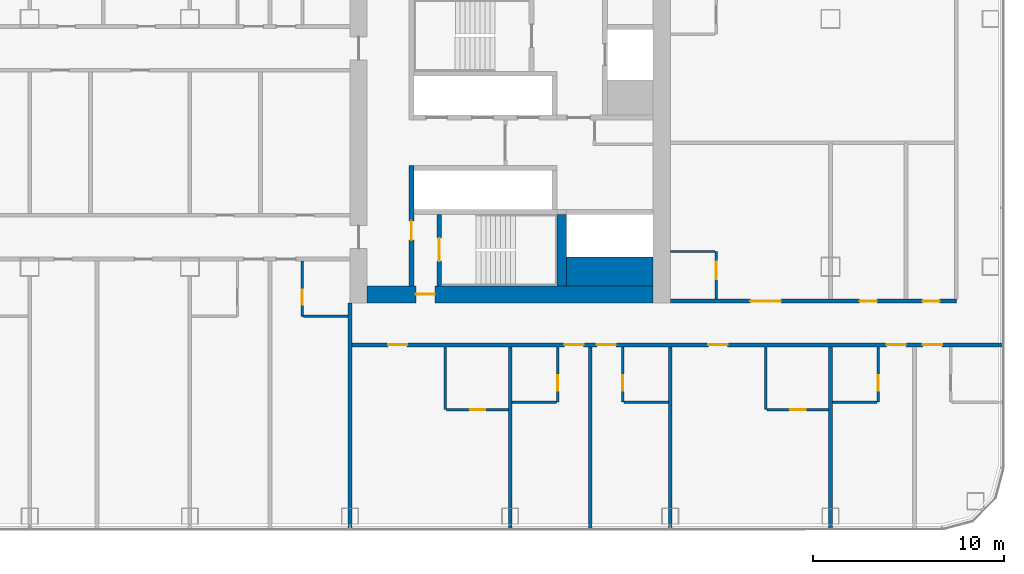
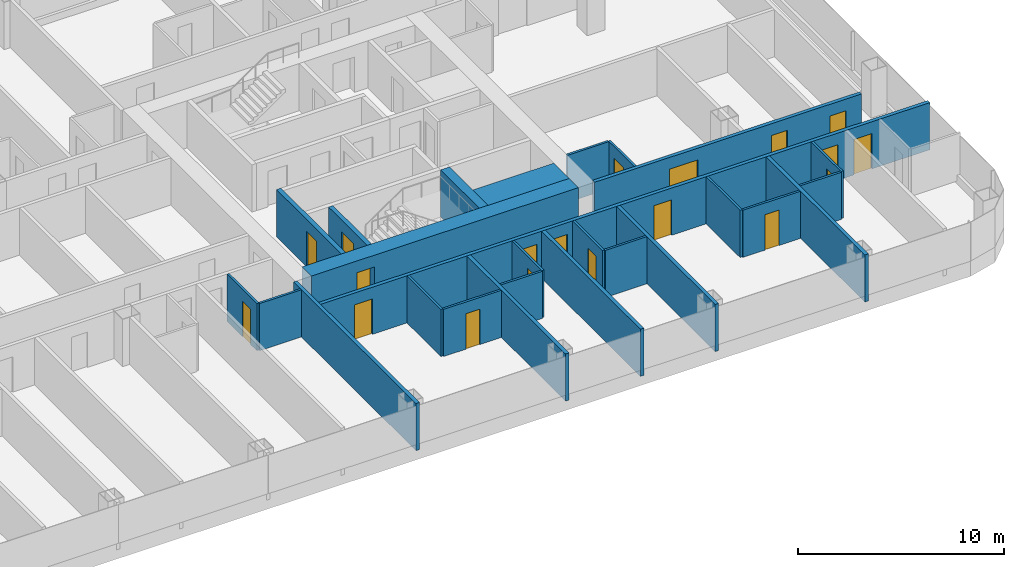
# One storey, part 17 of 28: 26 walls, 19 doors, 19 openings.
"""IFC4 building model written with IfcOpenShell, lengths in metres."""

from ifc_helpers import new_model, si_unit, direction, frame, frame_2d, origin, place, context, subcontext, project, spatial, rectangle, extrude, material, layer, layer_set, type_object, element, fill, save


model = new_model("IFC4")

# Units and contexts
model_context = context("Model", 3, precision=1e-05, world=origin(), true_north=direction((0.0, 1.0)))
body_context = subcontext(model_context, "Body", "Model", "MODEL_VIEW")
ifc_project = project(units=[si_unit("LENGTHUNIT", "METRE"), si_unit("AREAUNIT", "SQUARE_METRE"), si_unit("VOLUMEUNIT", "CUBIC_METRE"), si_unit("PLANEANGLEUNIT", "RADIAN"), si_unit("MASSUNIT", "GRAM", prefix="KILO")], contexts=[model_context])

# Site, building, storey
site_placement = place(None, origin())
site = spatial("IfcSite", under=ifc_project, at=site_placement, CompositionType="ELEMENT")
building_placement = place(site_placement, origin())
building = spatial("IfcBuilding", under=site, at=building_placement, Name="Hakoniwa Tower and Hamabe Station Hall", CompositionType="ELEMENT")
storey_placement = place(building_placement, frame((0.0, 0.0, 42.199951171875)))
storey = spatial("IfcBuildingStorey", under=building, at=storey_placement, Name="L11", CompositionType="ELEMENT", Elevation=42.199951171875)

# Wall, opening, door
ifc_material_1 = material(Name="Gypsum board partition", Category="gypsum")
ifc_layer_1 = layer(ifc_material_1, 0.125)
ifc_layer_set_1 = layer_set([ifc_layer_1], Name="Bathroom Partition 125")
wall_type_1 = type_object("IfcWallType", Name="Bathroom Partition 125", PredefinedType="PARTITIONING", material=ifc_layer_set_1)
wall_1_placement = place(storey_placement, frame((21.862548828125, -14.0, 0.0), z_axis=(0.0, 0.0, 1.0), x_axis=(1.0, 0.0, 0.0)))
wall_1 = element("IfcWall", 1, at=wall_1_placement, inside=storey, type_object=wall_type_1, Name="GW-L11-001", PredefinedType="PARTITIONING", context=body_context, shape_type="SweptSolid", body=[
    extrude(rectangle(XDim=3.237548828125, YDim=0.125, at=frame_2d((1.61865234375, 0.0))), origin(), (0.0, 0.0, 1.0), 2.800048828125),
])
opening_1_placement = place(wall_1_placement, frame((1.237548828125, 0.0, 0.0)))
opening_1 = element("IfcOpeningElement", 2, at=opening_1_placement, cuts=wall_1, Name="Opening GD-G1C1-01", PredefinedType="OPENING", context=body_context, shape_type="SweptSolid", body=[
    extrude(rectangle(XDim=0.800048828125, YDim=2.10009765625, at=frame_2d((0.39990234375, 1.050048828125))), frame((0.0, 0.072509765625, 0.0), z_axis=(0.0, -1.0, 0.0), x_axis=(1.0, 0.0, 0.0)), (0.0, 0.0, 1.0), 0.14501953125),
])
ifc_material_2 = material(Name="Timber door leaf", Category="wood")
door_type_1 = type_object("IfcDoorType", Name="Bathroom Door 800", OperationType="SINGLE_SWING_LEFT", PredefinedType="DOOR", material=ifc_material_2)
door_1_placement = place(opening_1_placement, origin())
door_1 = element("IfcDoor", 3, at=door_1_placement, inside=storey, type_object=door_type_1, Name="Door GD-G1C1-01", OperationType="SINGLE_SWING_RIGHT", OverallHeight=2.10009765625, OverallWidth=0.800048828125, PredefinedType="DOOR", context=body_context, shape_type="SweptSolid", body=[
    extrude(rectangle(XDim=0.800048828125, YDim=2.10009765625, at=frame_2d((0.39990234375, 1.050048828125))), frame((0.0, 0.02490234375, 0.0), z_axis=(0.0, -1.0, 0.0), x_axis=(1.0, 0.0, 0.0)), (0.0, 0.0, 1.0), 0.050048828125),
])
fill(opening_1, door_1)

wall_2_placement = place(storey_placement, frame((38.66259765625, -14.0, 0.0), z_axis=(0.0, 0.0, 1.0), x_axis=(1.0, 0.0, 0.0)))
wall_2 = element("IfcWall", 4, at=wall_2_placement, inside=storey, type_object=wall_type_1, Name="GW-L11-002", PredefinedType="PARTITIONING", context=body_context, shape_type="SweptSolid", body=[
    extrude(rectangle(XDim=3.2373046875, YDim=0.125, at=frame_2d((1.61865234375, 0.0))), origin(), (0.0, 0.0, 1.0), 2.800048828125),
])
opening_2_placement = place(wall_2_placement, frame((1.237548828125, 0.0, 0.0)))
opening_2 = element("IfcOpeningElement", 5, at=opening_2_placement, cuts=wall_2, Name="Opening GD-G1C1-02", PredefinedType="OPENING", context=body_context, shape_type="SweptSolid", body=[
    extrude(rectangle(XDim=0.800048828125, YDim=2.10009765625, at=frame_2d((0.39990234375, 1.050048828125))), frame((0.0, 0.072509765625, 0.0), z_axis=(0.0, -1.0, 0.0), x_axis=(1.0, 0.0, 0.0)), (0.0, 0.0, 1.0), 0.14501953125),
])
door_2_placement = place(opening_2_placement, origin())
door_2 = element("IfcDoor", 6, at=door_2_placement, inside=storey, type_object=door_type_1, Name="Door GD-G1C1-02", OperationType="SINGLE_SWING_LEFT", OverallHeight=2.10009765625, OverallWidth=0.800048828125, PredefinedType="DOOR", context=body_context, shape_type="SweptSolid", body=[
    extrude(rectangle(XDim=0.800048828125, YDim=2.10009765625, at=frame_2d((0.39990234375, 1.050048828125))), frame((0.0, 0.02490234375, 0.0), z_axis=(0.0, -1.0, 0.0), x_axis=(1.0, 0.0, 0.0)), (0.0, 0.0, 1.0), 0.050048828125),
])
fill(opening_2, door_2)

# Walls
for number, where, z_axis, x_axis, name in (
    (7, (25.300048828125, -13.60009765625, 0.0), (0.0, 0.0, 1.0), (1.0, 0.0, 0.0), "GW-L11-003"),
    (8, (31.16259765625, -13.60009765625, 0.0), (0.0, 0.0, 1.0), (1.0, 0.0, 0.0), "GW-L11-004"),
    (9, (42.10009765625, -13.60009765625, 0.0), (0.0, 0.0, 1.0), (1.0, 0.0, 0.0), "GW-L11-005"),
    (10, (14.362548828125, -9.10009765625, 0.0), (0.0, 0.0, 1.0), (1.0, 0.0, 0.0), "GW-L11-013"),
):
    element("IfcWall", number, at=place(storey_placement, frame(where, z_axis=z_axis, x_axis=x_axis)), inside=storey, type_object=wall_type_1, Name=name, PredefinedType="PARTITIONING", context=body_context, shape_type="SweptSolid", body=[
        extrude(rectangle(XDim=2.33740234375, YDim=0.125, at=frame_2d((1.168701171875, 0.0))), origin(), (0.0, 0.0, 1.0), 2.800048828125),
    ])

# Wall, opening, door
wall_3_placement = place(storey_placement, frame((14.300048828125, -9.10009765625, 0.0), z_axis=(0.0, 0.0, 1.0), x_axis=(0.0, 1.0, 0.0)))
wall_3 = element("IfcWall", 11, at=wall_3_placement, inside=storey, type_object=wall_type_1, Name="GW-L11-101", PredefinedType="PARTITIONING", context=body_context, shape_type="SweptSolid", body=[
    extrude(rectangle(XDim=2.900146484375, YDim=0.125, at=frame_2d((1.4501953125, 0.0))), origin(), (0.0, 0.0, 1.0), 2.800048828125),
])
opening_3_placement = place(wall_3_placement, frame((0.60009765625, 0.0, 0.0)))
opening_3 = element("IfcOpeningElement", 12, at=opening_3_placement, cuts=wall_3, Name="Opening GD-G1C1-80", PredefinedType="OPENING", context=body_context, shape_type="SweptSolid", body=[
    extrude(rectangle(XDim=0.800048828125, YDim=2.10009765625, at=frame_2d((0.39990234375, 1.050048828125))), frame((0.0, 0.072509765625, 0.0), z_axis=(0.0, -1.0, 0.0), x_axis=(1.0, 0.0, 0.0)), (0.0, 0.0, 1.0), 0.14501953125),
])
door_3_placement = place(opening_3_placement, origin())
door_3 = element("IfcDoor", 13, at=door_3_placement, inside=storey, type_object=door_type_1, Name="Door GD-G1C1-80", OperationType="SINGLE_SWING_LEFT", OverallHeight=2.10009765625, OverallWidth=0.800048828125, PredefinedType="DOOR", context=body_context, shape_type="SweptSolid", body=[
    extrude(rectangle(XDim=0.800048828125, YDim=2.10009765625, at=frame_2d((0.39990234375, 1.050048828125))), frame((0.0, 0.02490234375, 0.0), z_axis=(0.0, -1.0, 0.0), x_axis=(1.0, 0.0, 0.0)), (0.0, 0.0, 1.0), 0.050048828125),
])
fill(opening_3, door_3)

# Wall
wall_4_placement = place(storey_placement, frame((21.800048828125, -14.0, 0.0), z_axis=(0.0, 0.0, 1.0), x_axis=(0.0, 1.0, 0.0)))
element("IfcWall", 14, at=wall_4_placement, inside=storey, type_object=wall_type_1, Name="GW-L11-105", PredefinedType="PARTITIONING", context=body_context, shape_type="SweptSolid", body=[
    extrude(rectangle(XDim=3.300048828125, YDim=0.125, at=frame_2d((1.64990234375, 0.0))), origin(), (0.0, 0.0, 1.0), 2.800048828125),
])

# Wall, opening, door
wall_5_placement = place(storey_placement, frame((27.699951171875, -13.60009765625, 0.0), z_axis=(0.0, 0.0, 1.0), x_axis=(0.0, 1.0, 0.0)))
wall_5 = element("IfcWall", 15, at=wall_5_placement, inside=storey, type_object=wall_type_1, Name="GW-L11-109", PredefinedType="PARTITIONING", context=body_context, shape_type="SweptSolid", body=[
    extrude(rectangle(XDim=2.900146484375, YDim=0.125, at=frame_2d((1.4501953125, 0.0))), origin(), (0.0, 0.0, 1.0), 2.800048828125),
])
opening_4_placement = place(wall_5_placement, frame((0.60009765625, 0.0, 0.0)))
opening_4 = element("IfcOpeningElement", 16, at=opening_4_placement, cuts=wall_5, Name="Opening GD-G1C1-82", PredefinedType="OPENING", context=body_context, shape_type="SweptSolid", body=[
    extrude(rectangle(XDim=0.800048828125, YDim=2.10009765625, at=frame_2d((0.39990234375, 1.050048828125))), frame((0.0, 0.072509765625, 0.0), z_axis=(0.0, -1.0, 0.0), x_axis=(1.0, 0.0, 0.0)), (0.0, 0.0, 1.0), 0.14501953125),
])
door_4_placement = place(opening_4_placement, origin())
door_4 = element("IfcDoor", 17, at=door_4_placement, inside=storey, type_object=door_type_1, Name="Door GD-G1C1-82", OperationType="SINGLE_SWING_RIGHT", OverallHeight=2.10009765625, OverallWidth=0.800048828125, PredefinedType="DOOR", context=body_context, shape_type="SweptSolid", body=[
    extrude(rectangle(XDim=0.800048828125, YDim=2.10009765625, at=frame_2d((0.39990234375, 1.050048828125))), frame((0.0, 0.02490234375, 0.0), z_axis=(0.0, -1.0, 0.0), x_axis=(1.0, 0.0, 0.0)), (0.0, 0.0, 1.0), 0.050048828125),
])
fill(opening_4, door_4)

wall_6_placement = place(storey_placement, frame((31.10009765625, -13.60009765625, 0.0), z_axis=(0.0, 0.0, 1.0), x_axis=(0.0, 1.0, 0.0)))
wall_6 = element("IfcWall", 18, at=wall_6_placement, inside=storey, type_object=wall_type_1, Name="GW-L11-113", PredefinedType="PARTITIONING", context=body_context, shape_type="SweptSolid", body=[
    extrude(rectangle(XDim=2.900146484375, YDim=0.125, at=frame_2d((1.4501953125, 0.0))), origin(), (0.0, 0.0, 1.0), 2.800048828125),
])
opening_5_placement = place(wall_6_placement, frame((0.60009765625, 0.0, 0.0)))
opening_5 = element("IfcOpeningElement", 19, at=opening_5_placement, cuts=wall_6, Name="Opening GD-G1C1-84", PredefinedType="OPENING", context=body_context, shape_type="SweptSolid", body=[
    extrude(rectangle(XDim=0.800048828125, YDim=2.10009765625, at=frame_2d((0.39990234375, 1.050048828125))), frame((0.0, 0.072509765625, 0.0), z_axis=(0.0, -1.0, 0.0), x_axis=(1.0, 0.0, 0.0)), (0.0, 0.0, 1.0), 0.14501953125),
])
door_5_placement = place(opening_5_placement, origin())
door_5 = element("IfcDoor", 20, at=door_5_placement, inside=storey, type_object=door_type_1, Name="Door GD-G1C1-84", OperationType="SINGLE_SWING_LEFT", OverallHeight=2.10009765625, OverallWidth=0.800048828125, PredefinedType="DOOR", context=body_context, shape_type="SweptSolid", body=[
    extrude(rectangle(XDim=0.800048828125, YDim=2.10009765625, at=frame_2d((0.39990234375, 1.050048828125))), frame((0.0, 0.02490234375, 0.0), z_axis=(0.0, -1.0, 0.0), x_axis=(1.0, 0.0, 0.0)), (0.0, 0.0, 1.0), 0.050048828125),
])
fill(opening_5, door_5)

# Wall
wall_7_placement = place(storey_placement, frame((38.60009765625, -14.0, 0.0), z_axis=(0.0, 0.0, 1.0), x_axis=(0.0, 1.0, 0.0)))
element("IfcWall", 21, at=wall_7_placement, inside=storey, type_object=wall_type_1, Name="GW-L11-119", PredefinedType="PARTITIONING", context=body_context, shape_type="SweptSolid", body=[
    extrude(rectangle(XDim=3.300048828125, YDim=0.125, at=frame_2d((1.64990234375, 0.0))), origin(), (0.0, 0.0, 1.0), 2.800048828125),
])

# Wall, opening, door
wall_8_placement = place(storey_placement, frame((44.5, -13.60009765625, 0.0), z_axis=(0.0, 0.0, 1.0), x_axis=(0.0, 1.0, 0.0)))
wall_8 = element("IfcWall", 22, at=wall_8_placement, inside=storey, type_object=wall_type_1, Name="GW-L11-124", PredefinedType="PARTITIONING", context=body_context, shape_type="SweptSolid", body=[
    extrude(rectangle(XDim=2.900146484375, YDim=0.125, at=frame_2d((1.4501953125, 0.0))), origin(), (0.0, 0.0, 1.0), 2.800048828125),
])
opening_6_placement = place(wall_8_placement, frame((0.60009765625, 0.0, 0.0)))
opening_6 = element("IfcOpeningElement", 23, at=opening_6_placement, cuts=wall_8, Name="Opening GD-G1C1-88", PredefinedType="OPENING", context=body_context, shape_type="SweptSolid", body=[
    extrude(rectangle(XDim=0.800048828125, YDim=2.10009765625, at=frame_2d((0.39990234375, 1.050048828125))), frame((0.0, 0.072509765625, 0.0), z_axis=(0.0, -1.0, 0.0), x_axis=(1.0, 0.0, 0.0)), (0.0, 0.0, 1.0), 0.14501953125),
])
door_6_placement = place(opening_6_placement, origin())
door_6 = element("IfcDoor", 24, at=door_6_placement, inside=storey, type_object=door_type_1, Name="Door GD-G1C1-88", OperationType="SINGLE_SWING_RIGHT", OverallHeight=2.10009765625, OverallWidth=0.800048828125, PredefinedType="DOOR", context=body_context, shape_type="SweptSolid", body=[
    extrude(rectangle(XDim=0.800048828125, YDim=2.10009765625, at=frame_2d((0.39990234375, 1.050048828125))), frame((0.0, 0.02490234375, 0.0), z_axis=(0.0, -1.0, 0.0), x_axis=(1.0, 0.0, 0.0)), (0.0, 0.0, 1.0), 0.050048828125),
])
fill(opening_6, door_6)

ifc_material_3 = material(Name="Concrete C80", Category="concrete")
ifc_layer_2 = layer(ifc_material_3, 0.89990234375)
ifc_layer_set_2 = layer_set([ifc_layer_2], Name="CORE WALL 900 C80")
wall_type_2 = type_object("IfcWallType", Name="CORE WALL 900 C80", PredefinedType="SHEAR", material=ifc_layer_set_2)
wall_9_placement = place(storey_placement, frame((17.699951171875, -7.949951171875, 0.0), z_axis=(0.0, 0.0, 1.0), x_axis=(1.0, 0.0, 0.0)))
wall_9 = element("IfcWall", 25, at=wall_9_placement, inside=storey, type_object=wall_type_2, Name="Core wall SOUTH east", PredefinedType="SHEAR", context=body_context, shape_type="SweptSolid", body=[
    extrude(rectangle(XDim=15.0, YDim=0.89990234375, at=frame_2d((7.5, 0.0))), origin(), (0.0, 0.0, 1.0), 2.800048828125),
])
opening_7_placement = place(wall_9_placement, frame((2.550048828125, 0.0, 0.0)))
opening_7 = element("IfcOpeningElement", 26, at=opening_7_placement, cuts=wall_9, Name="Opening CD-E-FS3-10", PredefinedType="OPENING", context=body_context, shape_type="SweptSolid", body=[
    extrude(rectangle(XDim=1.0, YDim=2.10009765625, at=frame_2d((0.5, 1.050048828125))), frame((0.0, 0.4599609375, 0.0), z_axis=(0.0, -1.0, 0.0), x_axis=(1.0, 0.0, 0.0)), (0.0, 0.0, 1.0), 0.919921875),
])
ifc_material_4 = material(Name="Steel fire door", Category="steel")
door_type_2 = type_object("IfcDoorType", Name="CORE DOOR 1000 FD60", OperationType="NOTDEFINED", PredefinedType="DOOR", material=ifc_material_4)
door_7_placement = place(opening_7_placement, origin())
door_7 = element("IfcDoor", 27, at=door_7_placement, inside=storey, type_object=door_type_2, Name="Stair vestibule door", OperationType="SINGLE_SWING_RIGHT", OverallHeight=2.10009765625, OverallWidth=1.0, PredefinedType="DOOR", context=body_context, shape_type="SweptSolid", body=[
    extrude(rectangle(XDim=1.0, YDim=2.10009765625, at=frame_2d((0.5, 1.050048828125))), frame((0.0, 0.02490234375, 0.0), z_axis=(0.0, -1.0, 0.0), x_axis=(1.0, 0.0, 0.0)), (0.0, 0.0, 1.0), 0.050048828125),
])
fill(opening_7, door_7)

# Wall
ifc_material_5 = material(Name="Concrete C80", Category="concrete")
ifc_layer_3 = layer(ifc_material_5, 1.5)
ifc_layer_set_3 = layer_set([ifc_layer_3], Name="CORE WEB WALL 1500 C80")
wall_type_3 = type_object("IfcWallType", Name="CORE WEB WALL 1500 C80", PredefinedType="SHEAR", material=ifc_layer_set_3)
wall_10_placement = place(storey_placement, frame((28.14990234375, -6.75, 0.0), z_axis=(0.0, 0.0, 1.0), x_axis=(1.0, 0.0, 0.0)))
element("IfcWall", 28, at=wall_10_placement, inside=storey, type_object=wall_type_3, Name="Core wall SER east", PredefinedType="SHEAR", context=body_context, shape_type="SweptSolid", body=[
    extrude(rectangle(XDim=4.550048828125, YDim=1.5, at=frame_2d((2.27490234375, 0.0))), origin(), (0.0, 0.0, 1.0), 2.800048828125),
])

# Wall, opening, door
ifc_material_6 = material(Name="Concrete C80", Category="concrete")
ifc_layer_4 = layer(ifc_material_6, 0.25)
ifc_layer_set_4 = layer_set([ifc_layer_4], Name="CORE WEB WALL 250 C80")
wall_type_4 = type_object("IfcWallType", Name="CORE WEB WALL 250 C80", PredefinedType="SHEAR", material=ifc_layer_set_4)
wall_11_placement = place(storey_placement, frame((20.02490234375, -7.5, 0.0), z_axis=(0.0, 0.0, 1.0), x_axis=(0.0, 1.0, 0.0)))
wall_11 = element("IfcWall", 29, at=wall_11_placement, inside=storey, type_object=wall_type_4, Name="Core wall W1S east", PredefinedType="SHEAR", context=body_context, shape_type="SweptSolid", body=[
    extrude(rectangle(XDim=6.300048828125, YDim=0.25, at=frame_2d((3.14990234375, 0.0))), origin(), (0.0, 0.0, 1.0), 2.800048828125),
])
opening_8_placement = place(wall_11_placement, frame((2.39990234375, 0.0, 0.0)))
opening_8 = element("IfcOpeningElement", 30, at=opening_8_placement, cuts=wall_11, Name="Opening CD-E-VS-10", PredefinedType="OPENING", context=body_context, shape_type="SweptSolid", body=[
    extrude(rectangle(XDim=1.0, YDim=2.10009765625, at=frame_2d((0.5, 1.050048828125))), frame((0.0, 0.135009765625, 0.0), z_axis=(0.0, -1.0, 0.0), x_axis=(1.0, 0.0, 0.0)), (0.0, 0.0, 1.0), 0.27001953125),
])
door_8_placement = place(opening_8_placement, origin())
door_8 = element("IfcDoor", 31, at=door_8_placement, inside=storey, type_object=door_type_2, Name="Stair vestibule door", OperationType="SINGLE_SWING_RIGHT", OverallHeight=2.10009765625, OverallWidth=1.0, PredefinedType="DOOR", context=body_context, shape_type="SweptSolid", body=[
    extrude(rectangle(XDim=1.0, YDim=2.10009765625, at=frame_2d((0.5, 1.050048828125))), frame((0.0, 0.02490234375, 0.0), z_axis=(0.0, -1.0, 0.0), x_axis=(1.0, 0.0, 0.0)), (0.0, 0.0, 1.0), 0.050048828125),
])
fill(opening_8, door_8)

wall_12_placement = place(storey_placement, frame((21.47509765625, -7.5, 0.0), z_axis=(0.0, 0.0, 1.0), x_axis=(0.0, 1.0, 0.0)))
wall_12 = element("IfcWall", 32, at=wall_12_placement, inside=storey, type_object=wall_type_4, Name="Core wall VE east", PredefinedType="SHEAR", context=body_context, shape_type="SweptSolid", body=[
    extrude(rectangle(XDim=3.75, YDim=0.25, at=frame_2d((1.875, 0.0))), origin(), (0.0, 0.0, 1.0), 2.800048828125),
])
opening_9_placement = place(wall_12_placement, frame((1.300048828125, 0.0, 0.0)))
opening_9 = element("IfcOpeningElement", 33, at=opening_9_placement, cuts=wall_12, Name="Opening CD-E-SS-12", PredefinedType="OPENING", context=body_context, shape_type="SweptSolid", body=[
    extrude(rectangle(XDim=1.199951171875, YDim=2.10009765625, at=frame_2d((0.60009765625, 1.050048828125))), frame((0.0, 0.135009765625, 0.0), z_axis=(0.0, -1.0, 0.0), x_axis=(1.0, 0.0, 0.0)), (0.0, 0.0, 1.0), 0.27001953125),
])
ifc_material_7 = material(Name="Steel fire door", Category="steel")
door_type_3 = type_object("IfcDoorType", Name="CORE DOOR 1200 FD60", OperationType="DOUBLE_DOOR_SINGLE_SWING", PredefinedType="DOOR", material=ifc_material_7)
door_9_placement = place(opening_9_placement, origin())
door_9 = element("IfcDoor", 34, at=door_9_placement, inside=storey, type_object=door_type_3, Name="Escape stair door", OperationType="DOUBLE_DOOR_SINGLE_SWING", OverallHeight=2.10009765625, OverallWidth=1.199951171875, PredefinedType="DOOR", context=body_context, shape_type="SweptSolid", body=[
    extrude(rectangle(XDim=1.199951171875, YDim=2.10009765625, at=frame_2d((0.60009765625, 1.050048828125))), frame((0.0, 0.02490234375, 0.0), z_axis=(0.0, -1.0, 0.0), x_axis=(1.0, 0.0, 0.0)), (0.0, 0.0, 1.0), 0.050048828125),
])
fill(opening_9, door_9)

# Wall
ifc_material_8 = material(Name="Concrete C80", Category="concrete")
ifc_layer_5 = layer(ifc_material_8, 0.5)
ifc_layer_set_5 = layer_set([ifc_layer_5], Name="CORE WEB WALL 500 C80")
wall_type_5 = type_object("IfcWallType", Name="CORE WEB WALL 500 C80", PredefinedType="SHEAR", material=ifc_layer_set_5)
wall_13_placement = place(storey_placement, frame((27.89990234375, -7.5, 0.0), z_axis=(0.0, 0.0, 1.0), x_axis=(0.0, 1.0, 0.0)))
element("IfcWall", 35, at=wall_13_placement, inside=storey, type_object=wall_type_5, Name="Core wall SSE east", PredefinedType="SHEAR", context=body_context, shape_type="SweptSolid", body=[
    extrude(rectangle(XDim=3.75, YDim=0.5, at=frame_2d((1.875, 0.0))), origin(), (0.0, 0.0, 1.0), 2.800048828125),
])

# Wall, openings, doors
ifc_material_9 = material(Name="Fire-rated gypsum board partition", Category="gypsum")
ifc_layer_6 = layer(ifc_material_9, 0.199951171875)
ifc_layer_set_6 = layer_set([ifc_layer_6], Name="Corridor Wall 200")
wall_type_6 = type_object("IfcWallType", Name="Corridor Wall 200", PredefinedType="PARTITIONING", material=ifc_layer_set_6)
wall_14_placement = place(storey_placement, frame((16.800048828125, -10.60009765625, 0.0), z_axis=(0.0, 0.0, 1.0), x_axis=(1.0, 0.0, 0.0)))
wall_14 = element("IfcWall", 36, at=wall_14_placement, inside=storey, type_object=wall_type_6, Name="GW-L11-008", PredefinedType="PARTITIONING", context=body_context, shape_type="SweptSolid", body=[
    extrude(rectangle(XDim=34.300048828125, YDim=0.199951171875, at=frame_2d((17.14990234375, 0.0))), origin(), (0.0, 0.0, 1.0), 2.800048828125),
])
opening_10_placement = place(wall_14_placement, frame((2.0, 0.0, 0.0)))
opening_10 = element("IfcOpeningElement", 37, at=opening_10_placement, cuts=wall_14, Name="Opening GD-G1C1-10", PredefinedType="OPENING", context=body_context, shape_type="SweptSolid", body=[
    extrude(rectangle(XDim=1.0, YDim=2.10009765625, at=frame_2d((0.5, 1.050048828125))), frame((0.0, 0.10986328125, 0.0), z_axis=(0.0, -1.0, 0.0), x_axis=(1.0, 0.0, 0.0)), (0.0, 0.0, 1.0), 0.219970703125),
])
opening_11_placement = place(wall_14_placement, frame((11.25, 0.0, 0.0)))
opening_11 = element("IfcOpeningElement", 38, at=opening_11_placement, cuts=wall_14, Name="Opening GD-G1C1-11", PredefinedType="OPENING", context=body_context, shape_type="SweptSolid", body=[
    extrude(rectangle(XDim=1.0, YDim=2.10009765625, at=frame_2d((0.5, 1.050048828125))), frame((0.0, 0.10986328125, 0.0), z_axis=(0.0, -1.0, 0.0), x_axis=(1.0, 0.0, 0.0)), (0.0, 0.0, 1.0), 0.219970703125),
])
opening_12_placement = place(wall_14_placement, frame((12.949951171875, 0.0, 0.0)))
opening_12 = element("IfcOpeningElement", 39, at=opening_12_placement, cuts=wall_14, Name="Opening GD-G1C1-12", PredefinedType="OPENING", context=body_context, shape_type="SweptSolid", body=[
    extrude(rectangle(XDim=1.0, YDim=2.10009765625, at=frame_2d((0.5, 1.050048828125))), frame((0.0, 0.10986328125, 0.0), z_axis=(0.0, -1.0, 0.0), x_axis=(1.0, 0.0, 0.0)), (0.0, 0.0, 1.0), 0.219970703125),
])
opening_13_placement = place(wall_14_placement, frame((18.800048828125, 0.0, 0.0)))
opening_13 = element("IfcOpeningElement", 40, at=opening_13_placement, cuts=wall_14, Name="Opening GD-G1C1-13", PredefinedType="OPENING", context=body_context, shape_type="SweptSolid", body=[
    extrude(rectangle(XDim=1.0, YDim=2.10009765625, at=frame_2d((0.5, 1.050048828125))), frame((0.0, 0.10986328125, 0.0), z_axis=(0.0, -1.0, 0.0), x_axis=(1.0, 0.0, 0.0)), (0.0, 0.0, 1.0), 0.219970703125),
])
opening_14_placement = place(wall_14_placement, frame((28.14990234375, 0.0, 0.0)))
opening_14 = element("IfcOpeningElement", 41, at=opening_14_placement, cuts=wall_14, Name="Opening GD-G1C1-14", PredefinedType="OPENING", context=body_context, shape_type="SweptSolid", body=[
    extrude(rectangle(XDim=1.0, YDim=2.10009765625, at=frame_2d((0.5, 1.050048828125))), frame((0.0, 0.10986328125, 0.0), z_axis=(0.0, -1.0, 0.0), x_axis=(1.0, 0.0, 0.0)), (0.0, 0.0, 1.0), 0.219970703125),
])
opening_15_placement = place(wall_14_placement, frame((30.050048828125, 0.0, 0.0)))
opening_15 = element("IfcOpeningElement", 42, at=opening_15_placement, cuts=wall_14, Name="Opening GD-G1C1-15", PredefinedType="OPENING", context=body_context, shape_type="SweptSolid", body=[
    extrude(rectangle(XDim=1.0, YDim=2.10009765625, at=frame_2d((0.5, 1.050048828125))), frame((0.0, 0.10986328125, 0.0), z_axis=(0.0, -1.0, 0.0), x_axis=(1.0, 0.0, 0.0)), (0.0, 0.0, 1.0), 0.219970703125),
])
ifc_material_10 = material(Name="Timber door leaf", Category="wood")
door_type_4 = type_object("IfcDoorType", Name="Guest Entrance Door 1000", OperationType="SINGLE_SWING_LEFT", PredefinedType="DOOR", material=ifc_material_10)
door_10_placement = place(opening_10_placement, origin())
door_10 = element("IfcDoor", 43, at=door_10_placement, inside=storey, type_object=door_type_4, Name="Door GD-G1C1-10", OperationType="SINGLE_SWING_LEFT", OverallHeight=2.10009765625, OverallWidth=1.0, PredefinedType="DOOR", context=body_context, shape_type="SweptSolid", body=[
    extrude(rectangle(XDim=1.0, YDim=2.10009765625, at=frame_2d((0.5, 1.050048828125))), frame((0.0, 0.02490234375, 0.0), z_axis=(0.0, -1.0, 0.0), x_axis=(1.0, 0.0, 0.0)), (0.0, 0.0, 1.0), 0.050048828125),
])
fill(opening_10, door_10)
door_11_placement = place(opening_11_placement, origin())
door_11 = element("IfcDoor", 44, at=door_11_placement, inside=storey, type_object=door_type_4, Name="Door GD-G1C1-11", OperationType="SINGLE_SWING_RIGHT", OverallHeight=2.10009765625, OverallWidth=1.0, PredefinedType="DOOR", context=body_context, shape_type="SweptSolid", body=[
    extrude(rectangle(XDim=1.0, YDim=2.10009765625, at=frame_2d((0.5, 1.050048828125))), frame((0.0, 0.02490234375, 0.0), z_axis=(0.0, -1.0, 0.0), x_axis=(1.0, 0.0, 0.0)), (0.0, 0.0, 1.0), 0.050048828125),
])
fill(opening_11, door_11)
door_12_placement = place(opening_12_placement, origin())
door_12 = element("IfcDoor", 45, at=door_12_placement, inside=storey, type_object=door_type_4, Name="Door GD-G1C1-12", OperationType="SINGLE_SWING_LEFT", OverallHeight=2.10009765625, OverallWidth=1.0, PredefinedType="DOOR", context=body_context, shape_type="SweptSolid", body=[
    extrude(rectangle(XDim=1.0, YDim=2.10009765625, at=frame_2d((0.5, 1.050048828125))), frame((0.0, 0.02490234375, 0.0), z_axis=(0.0, -1.0, 0.0), x_axis=(1.0, 0.0, 0.0)), (0.0, 0.0, 1.0), 0.050048828125),
])
fill(opening_12, door_12)
door_13_placement = place(opening_13_placement, origin())
door_13 = element("IfcDoor", 46, at=door_13_placement, inside=storey, type_object=door_type_4, Name="Door GD-G1C1-13", OperationType="SINGLE_SWING_RIGHT", OverallHeight=2.10009765625, OverallWidth=1.0, PredefinedType="DOOR", context=body_context, shape_type="SweptSolid", body=[
    extrude(rectangle(XDim=1.0, YDim=2.10009765625, at=frame_2d((0.5, 1.050048828125))), frame((0.0, 0.02490234375, 0.0), z_axis=(0.0, -1.0, 0.0), x_axis=(1.0, 0.0, 0.0)), (0.0, 0.0, 1.0), 0.050048828125),
])
fill(opening_13, door_13)
door_14_placement = place(opening_14_placement, origin())
door_14 = element("IfcDoor", 47, at=door_14_placement, inside=storey, type_object=door_type_4, Name="Door GD-G1C1-14", OperationType="SINGLE_SWING_LEFT", OverallHeight=2.10009765625, OverallWidth=1.0, PredefinedType="DOOR", context=body_context, shape_type="SweptSolid", body=[
    extrude(rectangle(XDim=1.0, YDim=2.10009765625, at=frame_2d((0.5, 1.050048828125))), frame((0.0, 0.02490234375, 0.0), z_axis=(0.0, -1.0, 0.0), x_axis=(1.0, 0.0, 0.0)), (0.0, 0.0, 1.0), 0.050048828125),
])
fill(opening_14, door_14)
door_15_placement = place(opening_15_placement, origin())
door_15 = element("IfcDoor", 48, at=door_15_placement, inside=storey, type_object=door_type_4, Name="Door GD-G1C1-15", OperationType="SINGLE_SWING_RIGHT", OverallHeight=2.10009765625, OverallWidth=1.0, PredefinedType="DOOR", context=body_context, shape_type="SweptSolid", body=[
    extrude(rectangle(XDim=1.0, YDim=2.10009765625, at=frame_2d((0.5, 1.050048828125))), frame((0.0, 0.02490234375, 0.0), z_axis=(0.0, -1.0, 0.0), x_axis=(1.0, 0.0, 0.0)), (0.0, 0.0, 1.0), 0.050048828125),
])
fill(opening_15, door_15)

wall_15_placement = place(storey_placement, frame((33.60009765625, -8.300048828125, 0.0), z_axis=(0.0, 0.0, 1.0), x_axis=(1.0, 0.0, 0.0)))
wall_15 = element("IfcWall", 49, at=wall_15_placement, inside=storey, type_object=wall_type_6, Name="GW-L11-015", PredefinedType="PARTITIONING", context=body_context, shape_type="SweptSolid", body=[
    extrude(rectangle(XDim=15.0, YDim=0.199951171875, at=frame_2d((7.5, 0.0))), origin(), (0.0, 0.0, 1.0), 2.800048828125),
])
opening_16_placement = place(wall_15_placement, frame((4.199951171875, 0.0, 0.0)))
opening_16 = element("IfcOpeningElement", 50, at=opening_16_placement, cuts=wall_15, Name="Opening GD-G1C1-19", PredefinedType="OPENING", context=body_context, shape_type="SweptSolid", body=[
    extrude(rectangle(XDim=1.60009765625, YDim=2.10009765625, at=frame_2d((0.800048828125, 1.050048828125))), frame((0.0, 0.10986328125, 0.0), z_axis=(0.0, -1.0, 0.0), x_axis=(1.0, 0.0, 0.0)), (0.0, 0.0, 1.0), 0.219970703125),
])
opening_17_placement = place(wall_15_placement, frame((9.929931640625, 0.0, 0.0)))
opening_17 = element("IfcOpeningElement", 51, at=opening_17_placement, cuts=wall_15, Name="Opening GD-G1C1-20", PredefinedType="OPENING", context=body_context, shape_type="SweptSolid", body=[
    extrude(rectangle(XDim=0.89990234375, YDim=2.10009765625, at=frame_2d((0.449951171875, 1.050048828125))), frame((0.0, 0.10986328125, 0.0), z_axis=(0.0, -1.0, 0.0), x_axis=(1.0, 0.0, 0.0)), (0.0, 0.0, 1.0), 0.219970703125),
])
opening_18_placement = place(wall_15_placement, frame((13.22998046875, 0.0, 0.0)))
opening_18 = element("IfcOpeningElement", 52, at=opening_18_placement, cuts=wall_15, Name="Opening GD-G1C1-21", PredefinedType="OPENING", context=body_context, shape_type="SweptSolid", body=[
    extrude(rectangle(XDim=0.89990234375, YDim=2.10009765625, at=frame_2d((0.449951171875, 1.050048828125))), frame((0.0, 0.10986328125, 0.0), z_axis=(0.0, -1.0, 0.0), x_axis=(1.0, 0.0, 0.0)), (0.0, 0.0, 1.0), 0.219970703125),
])
ifc_material_11 = material(Name="Timber door leaf", Category="wood")
door_type_5 = type_object("IfcDoorType", Name="Double Door 1600", OperationType="DOUBLE_DOOR_SINGLE_SWING", PredefinedType="DOOR", material=ifc_material_11)
door_16_placement = place(opening_16_placement, origin())
door_16 = element("IfcDoor", 53, at=door_16_placement, inside=storey, type_object=door_type_5, Name="Door GD-G1C1-19", OperationType="DOUBLE_DOOR_SINGLE_SWING", OverallHeight=2.10009765625, OverallWidth=1.60009765625, PredefinedType="DOOR", context=body_context, shape_type="SweptSolid", body=[
    extrude(rectangle(XDim=1.60009765625, YDim=2.10009765625, at=frame_2d((0.800048828125, 1.050048828125))), frame((0.0, 0.02490234375, 0.0), z_axis=(0.0, -1.0, 0.0), x_axis=(1.0, 0.0, 0.0)), (0.0, 0.0, 1.0), 0.050048828125),
])
fill(opening_16, door_16)
ifc_material_12 = material(Name="Timber door leaf", Category="wood")
door_type_6 = type_object("IfcDoorType", Name="Service Door 900", OperationType="SINGLE_SWING_LEFT", PredefinedType="DOOR", material=ifc_material_12)
door_17_placement = place(opening_17_placement, origin())
door_17 = element("IfcDoor", 54, at=door_17_placement, inside=storey, type_object=door_type_6, Name="Door GD-G1C1-20", OperationType="SINGLE_SWING_LEFT", OverallHeight=2.10009765625, OverallWidth=0.89990234375, PredefinedType="DOOR", context=body_context, shape_type="SweptSolid", body=[
    extrude(rectangle(XDim=0.89990234375, YDim=2.10009765625, at=frame_2d((0.449951171875, 1.050048828125))), frame((0.0, 0.02490234375, 0.0), z_axis=(0.0, -1.0, 0.0), x_axis=(1.0, 0.0, 0.0)), (0.0, 0.0, 1.0), 0.050048828125),
])
fill(opening_17, door_17)
door_18_placement = place(opening_18_placement, origin())
door_18 = element("IfcDoor", 55, at=door_18_placement, inside=storey, type_object=door_type_6, Name="Door GD-G1C1-21", OperationType="SINGLE_SWING_RIGHT", OverallHeight=2.10009765625, OverallWidth=0.89990234375, PredefinedType="DOOR", context=body_context, shape_type="SweptSolid", body=[
    extrude(rectangle(XDim=0.89990234375, YDim=2.10009765625, at=frame_2d((0.449951171875, 1.050048828125))), frame((0.0, 0.02490234375, 0.0), z_axis=(0.0, -1.0, 0.0), x_axis=(1.0, 0.0, 0.0)), (0.0, 0.0, 1.0), 0.050048828125),
])
fill(opening_18, door_18)

# Walls
ifc_material_13 = material(Name="Fire-rated gypsum board partition", Category="gypsum")
ifc_layer_7 = layer(ifc_material_13, 0.199951171875)
ifc_layer_set_7 = layer_set([ifc_layer_7], Name="Party Wall 200")
wall_type_7 = type_object("IfcWallType", Name="Party Wall 200", PredefinedType="PARTITIONING", material=ifc_layer_set_7)
wall_16_placement = place(storey_placement, frame((16.800048828125, -20.300048828125, 0.0), z_axis=(0.0, 0.0, 1.0), x_axis=(0.0, 1.0, 0.0)))
element("IfcWall", 56, at=wall_16_placement, inside=storey, type_object=wall_type_7, Name="GW-L11-103", PredefinedType="PARTITIONING", context=body_context, shape_type="SweptSolid", body=[
    extrude(rectangle(XDim=11.91015625, YDim=0.199951171875, at=frame_2d((5.955078125, 0.0))), origin(), (0.0, 0.0, 1.0), 2.800048828125),
])
for number, where, z_axis, x_axis, name in (
    (57, (25.199951171875, -20.300048828125, 0.0), (0.0, 0.0, 1.0), (0.0, 1.0, 0.0), "GW-L11-107"),
    (58, (29.39990234375, -20.300048828125, 0.0), (0.0, 0.0, 1.0), (0.0, 1.0, 0.0), "GW-L11-111"),
    (59, (33.60009765625, -20.300048828125, 0.0), (0.0, 0.0, 1.0), (0.0, 1.0, 0.0), "GW-L11-115"),
    (60, (42.0, -20.300048828125, 0.0), (0.0, 0.0, 1.0), (0.0, 1.0, 0.0), "GW-L11-121"),
):
    element("IfcWall", number, at=place(storey_placement, frame(where, z_axis=z_axis, x_axis=x_axis)), inside=storey, type_object=wall_type_7, Name=name, PredefinedType="PARTITIONING", context=body_context, shape_type="SweptSolid", body=[
        extrude(rectangle(XDim=9.60009765625, YDim=0.199951171875, at=frame_2d((4.800048828125, 0.0))), origin(), (0.0, 0.0, 1.0), 2.800048828125),
    ])
ifc_material_14 = material(Name="Gypsum board partition", Category="gypsum")
ifc_layer_8 = layer(ifc_material_14, 0.125)
ifc_layer_set_8 = layer_set([ifc_layer_8], Name="Room Partition 125")
wall_type_8 = type_object("IfcWallType", Name="Room Partition 125", PredefinedType="PARTITIONING", material=ifc_layer_set_8)
wall_17_placement = place(storey_placement, frame((33.60009765625, -5.699951171875, 0.0), z_axis=(0.0, 0.0, 1.0), x_axis=(1.0, 0.0, 0.0)))
element("IfcWall", 61, at=wall_17_placement, inside=storey, type_object=wall_type_8, Name="GW-L11-017", PredefinedType="PARTITIONING", context=body_context, shape_type="SweptSolid", body=[
    extrude(rectangle(XDim=2.33740234375, YDim=0.125, at=frame_2d((1.168701171875, 0.0))), origin(), (0.0, 0.0, 1.0), 2.800048828125),
])

# Wall, opening, door
wall_18_placement = place(storey_placement, frame((36.0, -8.199951171875, 0.0), z_axis=(0.0, 0.0, 1.0), x_axis=(0.0, 1.0, 0.0)))
wall_18 = element("IfcWall", 62, at=wall_18_placement, inside=storey, type_object=wall_type_8, Name="GW-L11-117", PredefinedType="PARTITIONING", context=body_context, shape_type="SweptSolid", body=[
    extrude(rectangle(XDim=2.5, YDim=0.125, at=frame_2d((1.25, 0.0))), origin(), (0.0, 0.0, 1.0), 2.800048828125),
])
opening_19_placement = place(wall_18_placement, frame((1.050048828125, 0.0, 0.0)))
opening_19 = element("IfcOpeningElement", 63, at=opening_19_placement, cuts=wall_18, Name="Opening GD-G1C1-86", PredefinedType="OPENING", context=body_context, shape_type="SweptSolid", body=[
    extrude(rectangle(XDim=0.89990234375, YDim=2.10009765625, at=frame_2d((0.449951171875, 1.050048828125))), frame((0.0, 0.072509765625, 0.0), z_axis=(0.0, -1.0, 0.0), x_axis=(1.0, 0.0, 0.0)), (0.0, 0.0, 1.0), 0.14501953125),
])
ifc_material_15 = material(Name="Timber door leaf", Category="wood")
door_type_7 = type_object("IfcDoorType", Name="Suite Interior Door 900", OperationType="SINGLE_SWING_LEFT", PredefinedType="DOOR", material=ifc_material_15)
door_19_placement = place(opening_19_placement, origin())
door_19 = element("IfcDoor", 64, at=door_19_placement, inside=storey, type_object=door_type_7, Name="Door GD-G1C1-86", OperationType="SINGLE_SWING_LEFT", OverallHeight=2.10009765625, OverallWidth=0.89990234375, PredefinedType="DOOR", context=body_context, shape_type="SweptSolid", body=[
    extrude(rectangle(XDim=0.89990234375, YDim=2.10009765625, at=frame_2d((0.449951171875, 1.050048828125))), frame((0.0, 0.02490234375, 0.0), z_axis=(0.0, -1.0, 0.0), x_axis=(1.0, 0.0, 0.0)), (0.0, 0.0, 1.0), 0.050048828125),
])
fill(opening_19, door_19)

save(model, "model.ifc")
